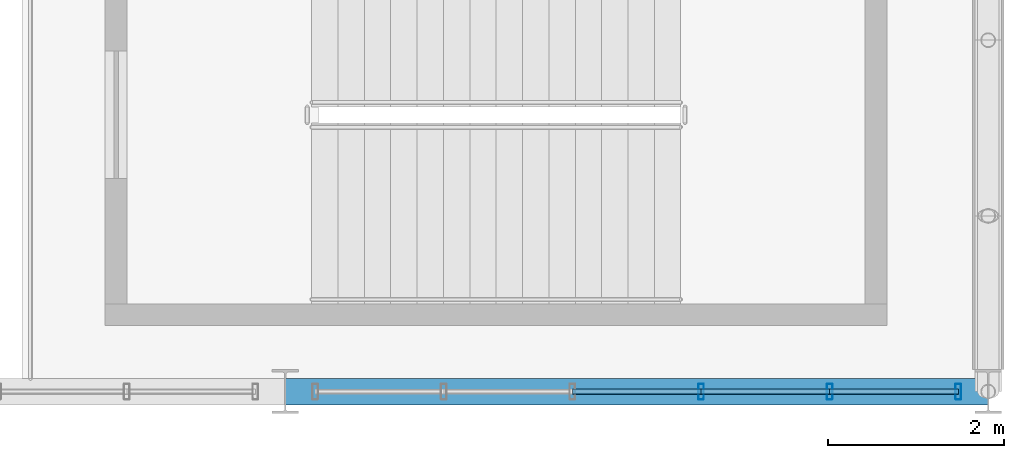
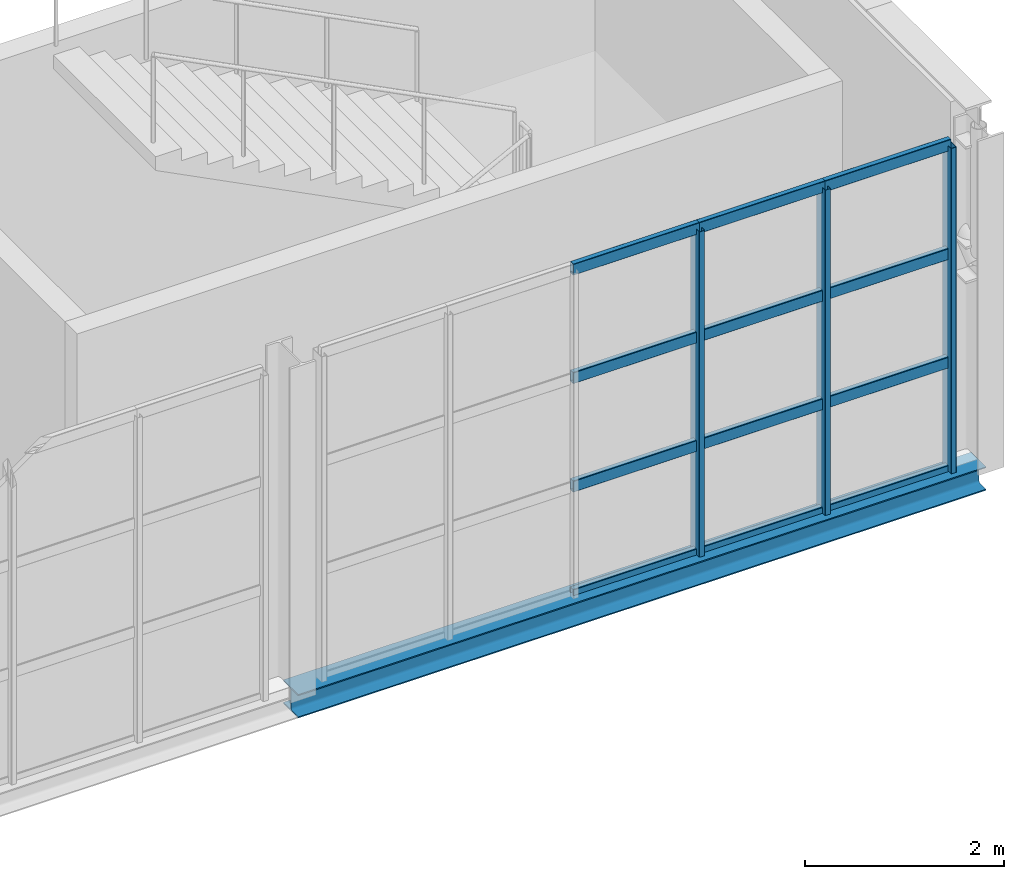
# One storey, part 22 of 67: 15 members, 1 beam, 1 element without a shape of its own.
"""IFC4 building model written with IfcOpenShell, lengths in metres."""

from ifc_helpers import new_model, si_unit, derived_unit, direction, frame, origin, origin_2d, place, context, subcontext, project, spatial, hollow_rectangle, i_section, extrude, material, material_profile, profile_set, type_object, element, aggregate, save


model = new_model("IFC4")

# Units and contexts
model_context = context("Model", 3, precision=1e-05, world=origin(), true_north=direction((0.0, 1.0)))
body_context = subcontext(model_context, "Body", "Model", "MODEL_VIEW")
ifc_project = project(units=[si_unit("LENGTHUNIT", "METRE"), si_unit("AREAUNIT", "SQUARE_METRE"), si_unit("VOLUMEUNIT", "CUBIC_METRE"), si_unit("PLANEANGLEUNIT", "RADIAN"), si_unit("MASSUNIT", "GRAM", prefix="KILO"), derived_unit("THERMALTRANSMITTANCEUNIT", [(si_unit("POWERUNIT", "WATT"), 1), (si_unit("LENGTHUNIT", "METRE"), -2), (si_unit("THERMODYNAMICTEMPERATUREUNIT", "KELVIN"), -1)])], contexts=[model_context])

# Site, building, storey
site_placement = place(None, origin())
site = spatial("IfcSite", under=ifc_project, at=site_placement, CompositionType="ELEMENT")
building_placement = place(site_placement, origin())
building = spatial("IfcBuilding", under=site, at=building_placement, Name="Keldorne Ridge Multi-Sports Centre", CompositionType="ELEMENT")
storey_placement = place(building_placement, frame((0.0, 0.0, 14.0)))
storey = spatial("IfcBuildingStorey", under=building, at=storey_placement, Name="L03", CompositionType="ELEMENT", Elevation=14.0)

# Beam
ifc_material_1 = material(Name="Steel S355", Category="steel")
ifc_material_profile_1 = material_profile(ifc_material_1, i_section(OverallWidth=0.300048828125, OverallDepth=0.2900390625, WebThickness=0.008544921875, FlangeThickness=0.013916015625, FilletRadius=0.027099609375, at=origin_2d()), Name="HEA 300")
ifc_profile_set_1 = profile_set([ifc_material_profile_1], Name="Steel S355")
beam_type = type_object("IfcBeamType", Name="BM-SP-04", PredefinedType="SPANDREL", material=ifc_profile_set_1)
beam_placement = place(storey_placement, frame((160.0, 6.0, -0.14990234375), z_axis=(1.0, 0.0, 0.0), x_axis=(0.0, 1.0, 0.0)))
element("IfcBeam", 1, at=beam_placement, inside=storey, type_object=beam_type, Name="Stacked Courts spandrel L03.6.8", PredefinedType="SPANDREL", context=body_context, shape_type="SweptSolid", body=[
    extrude(i_section(OverallWidth=0.300048828125, OverallDepth=0.2900390625, WebThickness=0.008544921875, FlangeThickness=0.013916015625, FilletRadius=0.027099609375, at=origin_2d()), origin(), (0.0, 0.0, 1.0), 8.0),
])

# Curtain wall, members
ifc_material_2 = material(Name="Anodized aluminium", Category="aluminium")
curtain_wall_type = type_object("IfcCurtainWallType", Name="CW-CW-06", PredefinedType="NOTDEFINED", material=ifc_material_2)
curtain_wall_placement = place(storey_placement, origin())
curtain_wall = element("IfcCurtainWall", 2, at=curtain_wall_placement, inside=storey, type_object=curtain_wall_type, Name="Upper Courts high clerestory 134", PredefinedType="NOTDEFINED")
ifc_material_profile_2 = material_profile(ifc_material_2, hollow_rectangle(XDim=0.06494140625, YDim=0.179931640625, WallThickness=0.00439453125, InnerFilletRadius=0.00439453125, OuterFilletRadius=0.009033203125, at=origin_2d()), Name="ALU MULLION 180x65x4.5")
ifc_profile_set_2 = profile_set([ifc_material_profile_2], Name="Anodized aluminium")
member_type_1 = type_object("IfcMemberType", Name="MEM-ML-01", PredefinedType="MULLION", material=ifc_profile_set_2)
member_1_placement = place(storey_placement, frame((164.73193359375, 6.0, 0.0), z_axis=(0.0, 0.0, 1.0), x_axis=(1.0, 0.0, 0.0)))
member_1 = element("IfcMember", 3, at=member_1_placement, type_object=member_type_1, Name="CW-134 vertical mullion 4", PredefinedType="MULLION", context=body_context, shape_type="SweptSolid", body=[
    extrude(hollow_rectangle(XDim=0.06494140625, YDim=0.179931640625, WallThickness=0.00439453125, InnerFilletRadius=0.00439453125, OuterFilletRadius=0.009033203125, at=origin_2d()), origin(), (0.0, 0.0, 1.0), 4.0),
])
member_2_placement = place(storey_placement, frame((166.196044921875, 6.0, 0.0), z_axis=(0.0, 0.0, 1.0), x_axis=(1.0, 0.0, 0.0)))
member_2 = element("IfcMember", 4, at=member_2_placement, type_object=member_type_1, Name="CW-134 vertical mullion 5", PredefinedType="MULLION", context=body_context, shape_type="SweptSolid", body=[
    extrude(hollow_rectangle(XDim=0.06494140625, YDim=0.179931640625, WallThickness=0.00439453125, InnerFilletRadius=0.00439453125, OuterFilletRadius=0.009033203125, at=origin_2d()), origin(), (0.0, 0.0, 1.0), 4.0),
])
member_3_placement = place(storey_placement, frame((167.659912109375, 6.0, 0.0), z_axis=(0.0, 0.0, 1.0), x_axis=(1.0, 0.0, 0.0)))
member_3 = element("IfcMember", 5, at=member_3_placement, type_object=member_type_1, Name="CW-134 vertical mullion 6", PredefinedType="MULLION", context=body_context, shape_type="SweptSolid", body=[
    extrude(hollow_rectangle(XDim=0.06494140625, YDim=0.179931640625, WallThickness=0.00439453125, InnerFilletRadius=0.00439453125, OuterFilletRadius=0.009033203125, at=origin_2d()), origin(), (0.0, 0.0, 1.0), 4.0),
])
ifc_material_profile_3 = material_profile(ifc_material_2, hollow_rectangle(XDim=0.06494140625, YDim=0.139892578125, WallThickness=0.00439453125, InnerFilletRadius=0.00439453125, OuterFilletRadius=0.009033203125, at=origin_2d()), Name="ALU TRANSOM 140x65x4.5")
ifc_profile_set_3 = profile_set([ifc_material_profile_3], Name="Anodized aluminium")
member_type_2 = type_object("IfcMemberType", Name="MEM-TR-01", PredefinedType="USERDEFINED", material=ifc_profile_set_3)
member_4_placement = place(storey_placement, frame((163.26806640625, 6.0, 0.0), z_axis=(1.0, 0.0, 0.0), x_axis=(0.0, 1.0, 0.0)))
member_4 = element("IfcMember", 6, at=member_4_placement, type_object=member_type_2, Name="CW-134 transom 3.1", ObjectType="TRANSOM", PredefinedType="USERDEFINED", context=body_context, shape_type="SweptSolid", body=[
    extrude(hollow_rectangle(XDim=0.06494140625, YDim=0.139892578125, WallThickness=0.00439453125, InnerFilletRadius=0.00439453125, OuterFilletRadius=0.009033203125, at=origin_2d()), origin(), (0.0, 0.0, 1.0), 1.4638671875),
])
member_5_placement = place(storey_placement, frame((163.26806640625, 6.0, 1.333251953125), z_axis=(1.0, 0.0, 0.0), x_axis=(0.0, 1.0, 0.0)))
member_5 = element("IfcMember", 7, at=member_5_placement, type_object=member_type_2, Name="CW-134 transom 3.2", ObjectType="TRANSOM", PredefinedType="USERDEFINED", context=body_context, shape_type="SweptSolid", body=[
    extrude(hollow_rectangle(XDim=0.06494140625, YDim=0.139892578125, WallThickness=0.00439453125, InnerFilletRadius=0.00439453125, OuterFilletRadius=0.009033203125, at=origin_2d()), origin(), (0.0, 0.0, 1.0), 1.4638671875),
])
member_6_placement = place(storey_placement, frame((163.26806640625, 6.0, 2.666748046875), z_axis=(1.0, 0.0, 0.0), x_axis=(0.0, 1.0, 0.0)))
member_6 = element("IfcMember", 8, at=member_6_placement, type_object=member_type_2, Name="CW-134 transom 3.3", ObjectType="TRANSOM", PredefinedType="USERDEFINED", context=body_context, shape_type="SweptSolid", body=[
    extrude(hollow_rectangle(XDim=0.06494140625, YDim=0.139892578125, WallThickness=0.00439453125, InnerFilletRadius=0.00439453125, OuterFilletRadius=0.009033203125, at=origin_2d()), origin(), (0.0, 0.0, 1.0), 1.4638671875),
])
member_7_placement = place(storey_placement, frame((163.26806640625, 6.0, 4.0), z_axis=(1.0, 0.0, 0.0), x_axis=(0.0, 1.0, 0.0)))
member_7 = element("IfcMember", 9, at=member_7_placement, type_object=member_type_2, Name="CW-134 transom 3.4", ObjectType="TRANSOM", PredefinedType="USERDEFINED", context=body_context, shape_type="SweptSolid", body=[
    extrude(hollow_rectangle(XDim=0.06494140625, YDim=0.139892578125, WallThickness=0.00439453125, InnerFilletRadius=0.00439453125, OuterFilletRadius=0.009033203125, at=origin_2d()), origin(), (0.0, 0.0, 1.0), 1.4638671875),
])
member_8_placement = place(storey_placement, frame((164.73193359375, 6.0, 0.0), z_axis=(1.0, 0.0, 0.0), x_axis=(0.0, 1.0, 0.0)))
member_8 = element("IfcMember", 10, at=member_8_placement, type_object=member_type_2, Name="CW-134 transom 4.1", ObjectType="TRANSOM", PredefinedType="USERDEFINED", context=body_context, shape_type="SweptSolid", body=[
    extrude(hollow_rectangle(XDim=0.06494140625, YDim=0.139892578125, WallThickness=0.00439453125, InnerFilletRadius=0.00439453125, OuterFilletRadius=0.009033203125, at=origin_2d()), origin(), (0.0, 0.0, 1.0), 1.464111328125),
])
member_9_placement = place(storey_placement, frame((164.73193359375, 6.0, 1.333251953125), z_axis=(1.0, 0.0, 0.0), x_axis=(0.0, 1.0, 0.0)))
member_9 = element("IfcMember", 11, at=member_9_placement, type_object=member_type_2, Name="CW-134 transom 4.2", ObjectType="TRANSOM", PredefinedType="USERDEFINED", context=body_context, shape_type="SweptSolid", body=[
    extrude(hollow_rectangle(XDim=0.06494140625, YDim=0.139892578125, WallThickness=0.00439453125, InnerFilletRadius=0.00439453125, OuterFilletRadius=0.009033203125, at=origin_2d()), origin(), (0.0, 0.0, 1.0), 1.464111328125),
])
member_10_placement = place(storey_placement, frame((164.73193359375, 6.0, 2.666748046875), z_axis=(1.0, 0.0, 0.0), x_axis=(0.0, 1.0, 0.0)))
member_10 = element("IfcMember", 12, at=member_10_placement, type_object=member_type_2, Name="CW-134 transom 4.3", ObjectType="TRANSOM", PredefinedType="USERDEFINED", context=body_context, shape_type="SweptSolid", body=[
    extrude(hollow_rectangle(XDim=0.06494140625, YDim=0.139892578125, WallThickness=0.00439453125, InnerFilletRadius=0.00439453125, OuterFilletRadius=0.009033203125, at=origin_2d()), origin(), (0.0, 0.0, 1.0), 1.464111328125),
])
member_11_placement = place(storey_placement, frame((164.73193359375, 6.0, 4.0), z_axis=(1.0, 0.0, 0.0), x_axis=(0.0, 1.0, 0.0)))
member_11 = element("IfcMember", 13, at=member_11_placement, type_object=member_type_2, Name="CW-134 transom 4.4", ObjectType="TRANSOM", PredefinedType="USERDEFINED", context=body_context, shape_type="SweptSolid", body=[
    extrude(hollow_rectangle(XDim=0.06494140625, YDim=0.139892578125, WallThickness=0.00439453125, InnerFilletRadius=0.00439453125, OuterFilletRadius=0.009033203125, at=origin_2d()), origin(), (0.0, 0.0, 1.0), 1.464111328125),
])
member_12_placement = place(storey_placement, frame((166.196044921875, 6.0, 0.0), z_axis=(1.0, 0.0, 0.0), x_axis=(0.0, 1.0, 0.0)))
member_12 = element("IfcMember", 14, at=member_12_placement, type_object=member_type_2, Name="CW-134 transom 5.1", ObjectType="TRANSOM", PredefinedType="USERDEFINED", context=body_context, shape_type="SweptSolid", body=[
    extrude(hollow_rectangle(XDim=0.06494140625, YDim=0.139892578125, WallThickness=0.00439453125, InnerFilletRadius=0.00439453125, OuterFilletRadius=0.009033203125, at=origin_2d()), origin(), (0.0, 0.0, 1.0), 1.4638671875),
])
member_13_placement = place(storey_placement, frame((166.196044921875, 6.0, 1.333251953125), z_axis=(1.0, 0.0, 0.0), x_axis=(0.0, 1.0, 0.0)))
member_13 = element("IfcMember", 15, at=member_13_placement, type_object=member_type_2, Name="CW-134 transom 5.2", ObjectType="TRANSOM", PredefinedType="USERDEFINED", context=body_context, shape_type="SweptSolid", body=[
    extrude(hollow_rectangle(XDim=0.06494140625, YDim=0.139892578125, WallThickness=0.00439453125, InnerFilletRadius=0.00439453125, OuterFilletRadius=0.009033203125, at=origin_2d()), origin(), (0.0, 0.0, 1.0), 1.4638671875),
])
member_14_placement = place(storey_placement, frame((166.196044921875, 6.0, 2.666748046875), z_axis=(1.0, 0.0, 0.0), x_axis=(0.0, 1.0, 0.0)))
member_14 = element("IfcMember", 16, at=member_14_placement, type_object=member_type_2, Name="CW-134 transom 5.3", ObjectType="TRANSOM", PredefinedType="USERDEFINED", context=body_context, shape_type="SweptSolid", body=[
    extrude(hollow_rectangle(XDim=0.06494140625, YDim=0.139892578125, WallThickness=0.00439453125, InnerFilletRadius=0.00439453125, OuterFilletRadius=0.009033203125, at=origin_2d()), origin(), (0.0, 0.0, 1.0), 1.4638671875),
])
member_15_placement = place(storey_placement, frame((166.196044921875, 6.0, 4.0), z_axis=(1.0, 0.0, 0.0), x_axis=(0.0, 1.0, 0.0)))
member_15 = element("IfcMember", 17, at=member_15_placement, type_object=member_type_2, Name="CW-134 transom 5.4", ObjectType="TRANSOM", PredefinedType="USERDEFINED", context=body_context, shape_type="SweptSolid", body=[
    extrude(hollow_rectangle(XDim=0.06494140625, YDim=0.139892578125, WallThickness=0.00439453125, InnerFilletRadius=0.00439453125, OuterFilletRadius=0.009033203125, at=origin_2d()), origin(), (0.0, 0.0, 1.0), 1.4638671875),
])
aggregate(curtain_wall, [member_1, member_2, member_3, member_4, member_5, member_6, member_7, member_8, member_9, member_10, member_11, member_12, member_13, member_14, member_15])

save(model, "model.ifc")
